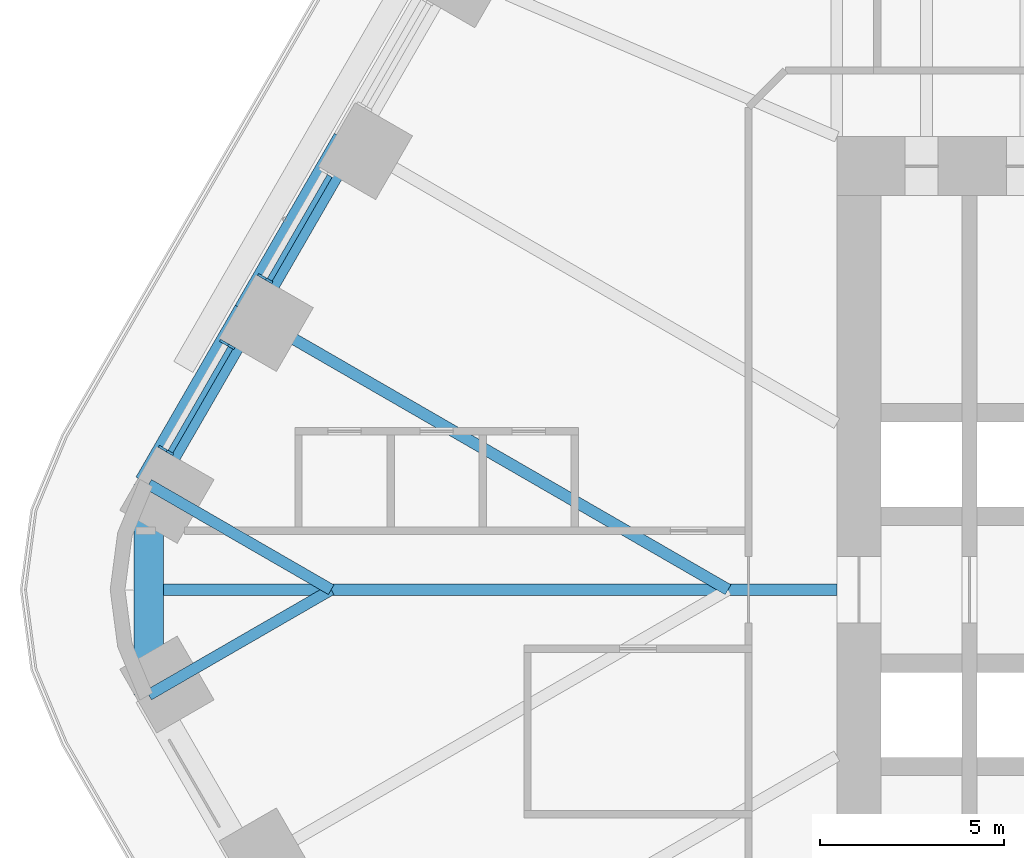
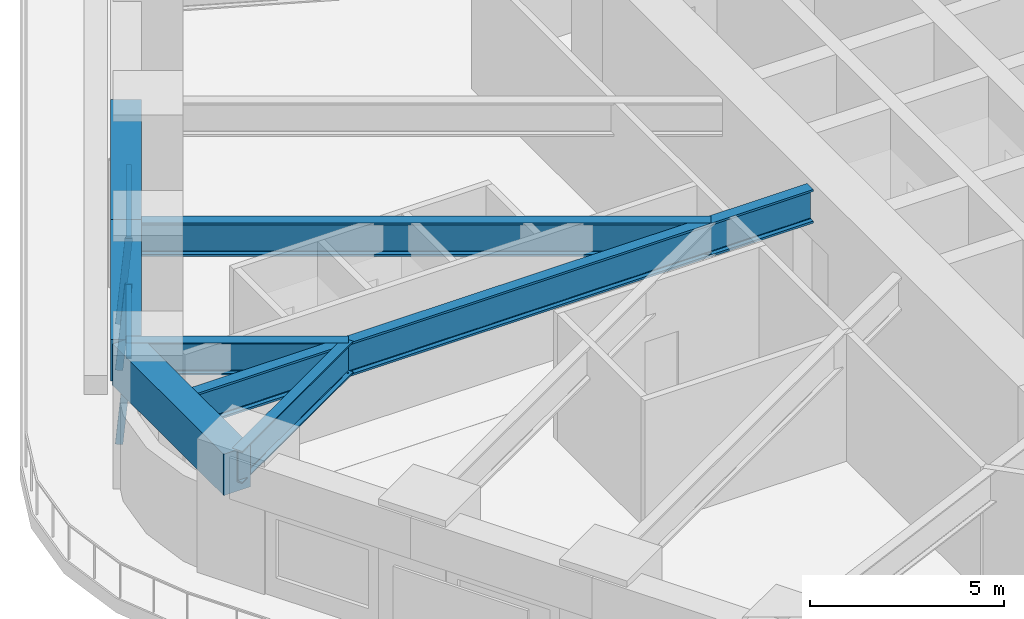
# One storey, part 6 of 23: 7 beams, 5 members, 2 elements without a shape of their own.
"""IFC4 building model written with IfcOpenShell, lengths in metres."""

from ifc_helpers import new_model, si_unit, direction, frame, origin, origin_2d, place, context, subcontext, project, spatial, rectangle, i_section, extrude, material, material_profile, profile_set, type_object, element, aggregate, save


model = new_model("IFC4")

# Units and contexts
model_context = context("Model", 3, precision=1e-05, world=origin(), true_north=direction((0.0, 1.0)))
body_context = subcontext(model_context, "Body", "Model", "MODEL_VIEW")
ifc_project = project(units=[si_unit("LENGTHUNIT", "METRE"), si_unit("AREAUNIT", "SQUARE_METRE"), si_unit("VOLUMEUNIT", "CUBIC_METRE"), si_unit("PLANEANGLEUNIT", "RADIAN"), si_unit("MASSUNIT", "GRAM", prefix="KILO")], contexts=[model_context])

# Site, building, storey
site_placement = place(None, origin())
site = spatial("IfcSite", under=ifc_project, at=site_placement, CompositionType="ELEMENT")
building_placement = place(site_placement, origin())
building = spatial("IfcBuilding", under=site, at=building_placement, Name="Tarfa Lantern Tower", CompositionType="ELEMENT")
storey_placement = place(building_placement, frame((0.0, 0.0, 52.89990234375)))
storey = spatial("IfcBuildingStorey", under=building, at=storey_placement, Name="L11", CompositionType="ELEMENT", Elevation=52.89990234375)

# Curtain wall, member
ifc_material_1 = material(Name="Aluminium framed curtain wall", Category="aluminium")
curtain_wall_type = type_object("IfcCurtainWallType", Name="CW1 CANTED GLAZING LOW ZONE 2700", PredefinedType="USERDEFINED", material=ifc_material_1)
curtain_wall_1_placement = place(storey_placement, origin())
curtain_wall_1 = element("IfcCurtainWall", 1, at=curtain_wall_1_placement, inside=storey, type_object=curtain_wall_type, Name="CW1 NW L11", ObjectType="CURTAIN WALL", PredefinedType="USERDEFINED")
ifc_material_2 = material(Name="Aluminium mullion", Category="aluminium")
ifc_material_profile_1 = material_profile(ifc_material_2, rectangle(XDim=0.06494140625, YDim=0.199951171875, at=origin_2d()), Name="AL MULLION 65x200")
ifc_profile_set_1 = profile_set([ifc_material_profile_1], Name="Aluminium mullion")
member_type_1 = type_object("IfcMemberType", Name="CWM1 MULLION 65x200", PredefinedType="MULLION", material=ifc_profile_set_1)
member_1_placement = place(storey_placement, frame((-34.230712890625, 8.5107421875, 0.0), z_axis=(0.079857261722, -0.046095736191, 0.995739926314), x_axis=(0.499919672301, 0.866071776036, 0.0)))
member_1 = element("IfcMember", 2, at=member_1_placement, type_object=member_type_1, Name="CW1 mullion 2", PredefinedType="MULLION", context=body_context, shape_type="SweptSolid", body=[
    extrude(rectangle(XDim=0.06494140625, YDim=0.199951171875, at=origin_2d()), origin(), (0.0, 0.0, 1.0), 2.711669921875),
])

# Curtain wall, members
curtain_wall_2_placement = place(storey_placement, origin())
curtain_wall_2 = element("IfcCurtainWall", 3, at=curtain_wall_2_placement, inside=storey, type_object=curtain_wall_type, Name="CW1 NW L11", ObjectType="CURTAIN WALL", PredefinedType="USERDEFINED")
member_2_placement = place(storey_placement, frame((-35.26318359375, 6.722412109375, 0.0), z_axis=(0.079857261722, -0.046095736191, 0.995739926314), x_axis=(0.499919672301, 0.866071776036, 0.0)))
member_2 = element("IfcMember", 4, at=member_2_placement, type_object=member_type_1, Name="CW1 mullion 1", PredefinedType="MULLION", context=body_context, shape_type="SweptSolid", body=[
    extrude(rectangle(XDim=0.06494140625, YDim=0.199951171875, at=origin_2d()), origin(), (0.0, 0.0, 1.0), 2.711669921875),
])
member_3_placement = place(storey_placement, frame((-36.9248046875, 3.84423828125, 0.0), z_axis=(0.079767804165, -0.046096067418, 0.995747081335), x_axis=(0.500342721131, 0.865827443207, 0.0)))
member_3 = element("IfcMember", 5, at=member_3_placement, type_object=member_type_1, Name="CW1 mullion 2", PredefinedType="MULLION", context=body_context, shape_type="SweptSolid", body=[
    extrude(rectangle(XDim=0.06494140625, YDim=0.199951171875, at=origin_2d()), origin(), (0.0, 0.0, 1.0), 2.711669921875),
])

# Member
ifc_material_3 = material(Name="Aluminium transom", Category="aluminium")
ifc_material_profile_2 = material_profile(ifc_material_3, rectangle(XDim=0.14990234375, YDim=0.06494140625, at=origin_2d()), Name="AL TRANSOM 150x65")
ifc_profile_set_2 = profile_set([ifc_material_profile_2], Name="Aluminium transom")
member_type_2 = type_object("IfcMemberType", Name="CWT1 TRANSOM 150x65", PredefinedType="USERDEFINED", material=ifc_profile_set_2)
member_4_placement = place(storey_placement, frame((-32.37109375, 11.237548828125, 2.66748046875), z_axis=(-0.500022939057, -0.866012159509, 0.0), x_axis=(0.866012159509, -0.500022939057, 0.0)))
member_4 = element("IfcMember", 6, at=member_4_placement, type_object=member_type_2, Name="CW1 transom 1.2", ObjectType="TRANSOM", PredefinedType="USERDEFINED", context=body_context, shape_type="SweptSolid", body=[
    extrude(rectangle(XDim=0.14990234375, YDim=0.06494140625, at=origin_2d()), origin(), (0.0, 0.0, 1.0), 3.258544921875),
])

aggregate(curtain_wall_1, [member_1, member_4])

member_5_placement = place(storey_placement, frame((-35.0654296875, 6.57080078125, 2.66748046875), z_axis=(-0.500022939057, -0.866012159509, 0.0), x_axis=(0.866012159509, -0.500022939057, 0.0)))
member_5 = element("IfcMember", 7, at=member_5_placement, type_object=member_type_2, Name="CW1 transom 1.2", ObjectType="TRANSOM", PredefinedType="USERDEFINED", context=body_context, shape_type="SweptSolid", body=[
    extrude(rectangle(XDim=0.14990234375, YDim=0.06494140625, at=origin_2d()), origin(), (0.0, 0.0, 1.0), 3.258544921875),
])

aggregate(curtain_wall_2, [member_2, member_3, member_5])

# Beams
ifc_material_4 = material(Name="Concrete C80/95", Category="concrete")
ifc_material_profile_3 = material_profile(ifc_material_4, rectangle(XDim=0.800048828125, YDim=1.300048828125, at=origin_2d()), Name="RC 800x1300")
ifc_profile_set_3 = profile_set([ifc_material_profile_3], Name="Concrete C80/95")
beam_type_1 = type_object("IfcBeamType", Name="EB1 RC 800x1300", PredefinedType="SPANDREL", material=ifc_profile_set_3)
beam_1_placement = place(storey_placement, frame((-31.896728515625, 12.193359375, 3.35009765625), z_axis=(-0.499998287579, -0.866026392449, 0.0), x_axis=(0.866026392449, -0.499998287579, 0.0)))
element("IfcBeam", 8, at=beam_1_placement, inside=storey, type_object=beam_type_1, Name="Edge beam NW4", PredefinedType="SPANDREL", context=body_context, shape_type="SweptSolid", body=[
    extrude(rectangle(XDim=0.800048828125, YDim=1.300048828125, at=origin_2d()), origin(), (0.0, 0.0, 1.0), 5.388671875),
])
beam_2_placement = place(storey_placement, frame((-34.591064453125, 7.526611328125, 3.35009765625), z_axis=(-0.500017906299, -0.866015065331, 0.0), x_axis=(0.866015065331, -0.500017906299, 0.0)))
element("IfcBeam", 9, at=beam_2_placement, inside=storey, type_object=beam_type_1, Name="Edge beam NW5", PredefinedType="SPANDREL", context=body_context, shape_type="SweptSolid", body=[
    extrude(rectangle(XDim=0.800048828125, YDim=1.300048828125, at=origin_2d()), origin(), (0.0, 0.0, 1.0), 5.388427734375),
])
beam_3_placement = place(storey_placement, frame((-37.285400390625, 2.860107421875, 3.35009765625), z_axis=(0.0, -1.0, 0.0), x_axis=(1.0, 0.0, 0.0)))
element("IfcBeam", 10, at=beam_3_placement, inside=storey, type_object=beam_type_1, Name="Edge beam NW6", PredefinedType="SPANDREL", context=body_context, shape_type="SweptSolid", body=[
    extrude(rectangle(XDim=0.800048828125, YDim=1.300048828125, at=origin_2d()), origin(), (0.0, 0.0, 1.0), 5.72021484375),
])
ifc_material_5 = material(Name="Steel S460M", Category="steel")
ifc_material_profile_4 = material_profile(ifc_material_5, i_section(OverallWidth=0.302001953125, OverallDepth=1.008056640625, WebThickness=0.02099609375, FlangeThickness=0.0400390625, FilletRadius=0.030029296875, at=origin_2d()), Name="UB1016x305x349")
ifc_profile_set_4 = profile_set([ifc_material_profile_4], Name="Steel S460M")
beam_type_2 = type_object("IfcBeamType", Name="UB1016x305x349", PredefinedType="BEAM", material=ifc_profile_set_4)
for number, where, z_axis, x_axis, name in (
    (11, (-37.285400390625, 2.860107421875, 3.49609375), (0.866025668288, -0.499999541866, 0.0), (0.499999541866, 0.866025668288, 0.0), "Floor beam NW6"),
    (12, (-37.285400390625, -2.860107421875, 3.49609375), (0.866025668288, 0.499999541866, 0.0), (-0.499999541866, 0.866025668288, 0.0), "Floor beam SW0"),
):
    element("IfcBeam", number, at=place(storey_placement, frame(where, z_axis=z_axis, x_axis=x_axis)), inside=storey, type_object=beam_type_2, Name=name, PredefinedType="BEAM", context=body_context, shape_type="SweptSolid", body=[
        extrude(i_section(OverallWidth=0.302001953125, OverallDepth=1.008056640625, WebThickness=0.02099609375, FlangeThickness=0.0400390625, FilletRadius=0.030029296875, at=origin_2d()), origin(), (0.0, 0.0, 1.0), 5.72021484375),
    ])
ifc_material_profile_5 = material_profile(ifc_material_5, i_section(OverallWidth=0.314208984375, OverallDepth=1.055908203125, WebThickness=0.035888671875, FlangeThickness=0.06396484375, FilletRadius=0.030029296875, at=origin_2d()), Name="UB1016x305x584")
ifc_profile_set_5 = profile_set([ifc_material_profile_5], Name="Steel S460M")
beam_type_3 = type_object("IfcBeamType", Name="UB1016x305x584", PredefinedType="BEAM", material=ifc_profile_set_5)
beam_4_placement = place(storey_placement, frame((-18.60009765625, 0.0, 3.47216796875), z_axis=(-1.0, 0.0, 0.0), x_axis=(0.0, -1.0, 0.0)))
element("IfcBeam", 13, at=beam_4_placement, inside=storey, type_object=beam_type_3, Name="Hip girder W", PredefinedType="BEAM", context=body_context, shape_type="SweptSolid", body=[
    extrude(i_section(OverallWidth=0.314208984375, OverallDepth=1.055908203125, WebThickness=0.035888671875, FlangeThickness=0.06396484375, FilletRadius=0.030029296875, at=origin_2d()), origin(), (0.0, 0.0, 1.0), 18.685302734375),
])
beam_5_placement = place(storey_placement, frame((-34.591064453125, 7.526611328125, 3.47216796875), z_axis=(0.86602785945, -0.499995746638, 0.0), x_axis=(0.499995746638, 0.86602785945, 0.0)))
element("IfcBeam", 14, at=beam_5_placement, inside=storey, type_object=beam_type_3, Name="Floor beam NW5", PredefinedType="BEAM", context=body_context, shape_type="SweptSolid", body=[
    extrude(i_section(OverallWidth=0.314208984375, OverallDepth=1.055908203125, WebThickness=0.035888671875, FlangeThickness=0.06396484375, FilletRadius=0.030029296875, at=origin_2d()), origin(), (0.0, 0.0, 1.0), 15.053466796875),
])

save(model, "model.ifc")
